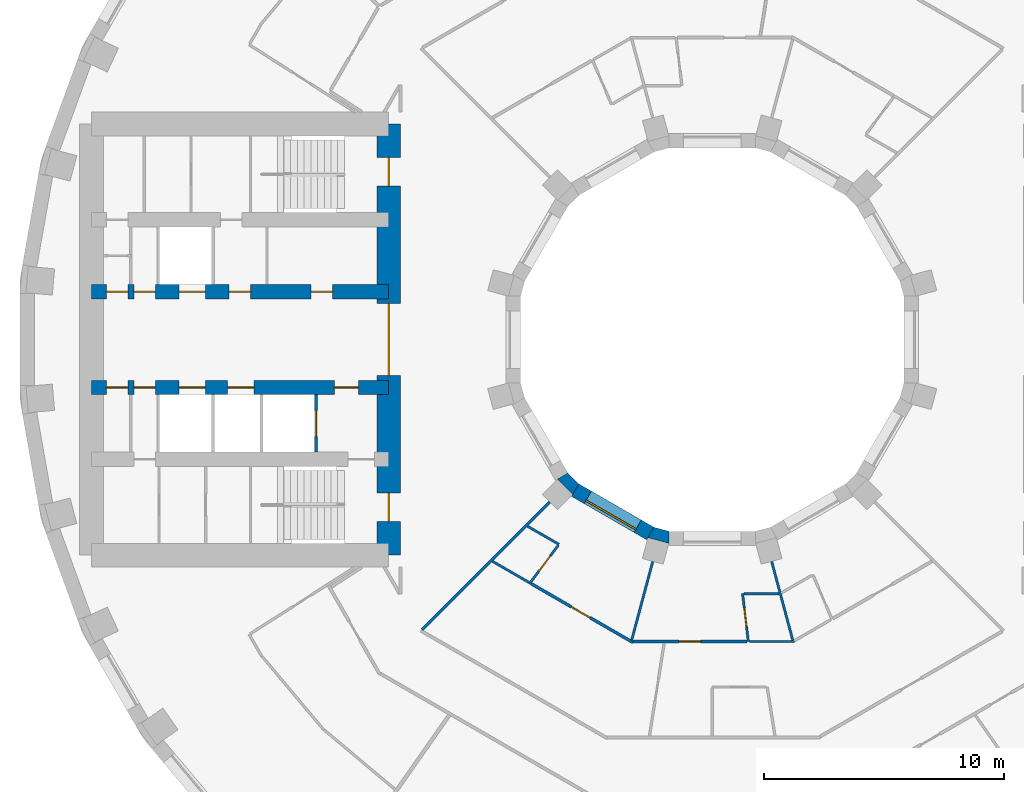
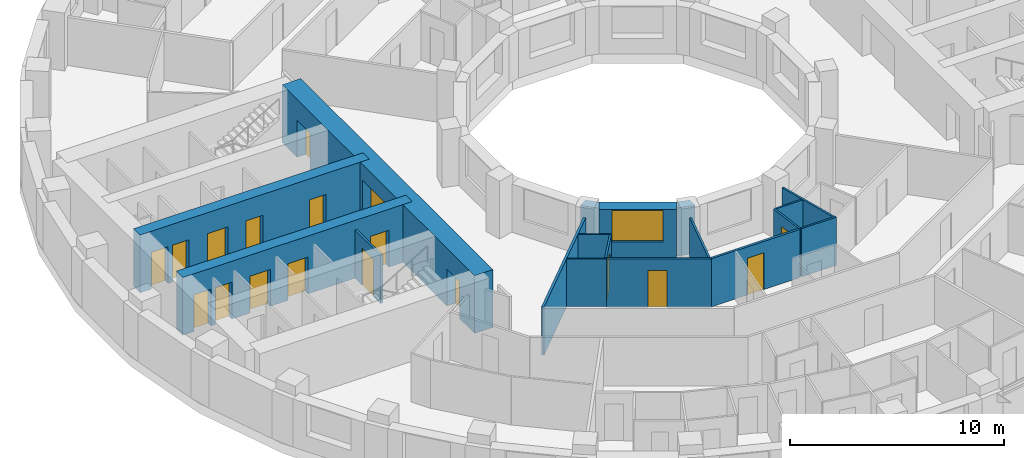
# One storey, part 7 of 17: 18 doors, 18 walls, 1 window, 19 openings.
"""IFC4 building model written with IfcOpenShell, lengths in metres."""

from ifc_helpers import new_model, si_unit, direction, frame, frame_2d, origin, place, context, subcontext, project, spatial, polyline, rectangle, outline, extrude, material, layer, layer_set, type_object, element, fill, save


model = new_model("IFC4")

# Units and contexts
model_context = context("Model", 3, precision=1e-05, world=origin(), true_north=direction((0.0, 1.0)))
body_context = subcontext(model_context, "Body", "Model", "MODEL_VIEW")
ifc_project = project(units=[si_unit("LENGTHUNIT", "METRE"), si_unit("AREAUNIT", "SQUARE_METRE"), si_unit("VOLUMEUNIT", "CUBIC_METRE"), si_unit("PLANEANGLEUNIT", "RADIAN"), si_unit("MASSUNIT", "GRAM", prefix="KILO")], contexts=[model_context])

# Site, building, storey
site_placement = place(None, origin())
site = spatial("IfcSite", under=ifc_project, at=site_placement, CompositionType="ELEMENT")
building_placement = place(site_placement, origin())
building = spatial("IfcBuilding", under=site, at=building_placement, Name="Saqina Gate Tower", CompositionType="ELEMENT")
storey_placement = place(building_placement, frame((0.0, 0.0, 29.60009765625)))
storey = spatial("IfcBuildingStorey", under=building, at=storey_placement, Name="L07", CompositionType="ELEMENT", Elevation=29.60009765625)

# Wall, opening, window
ifc_material_1 = material(Name="Glazed ceramic tile", Category="ceramic")
ifc_layer_1 = layer(ifc_material_1, 0.60009765625)
ifc_layer_set_1 = layer_set([ifc_layer_1], Name="IW-TILE")
wall_type_1 = type_object("IfcWallType", Name="IW-TILE", PredefinedType="SOLIDWALL", material=ifc_layer_set_1)
wall_1_placement = place(storey_placement, frame((-5.7197265625, -6.28173828125, 0.0), z_axis=(0.0, 0.0, 1.0), x_axis=(0.866029693906, -0.499992569217, 0.0)))
wall_1 = element("IfcWall", 1, at=wall_1_placement, inside=storey, type_object=wall_type_1, Name="Well wall L07 facet 8", PredefinedType="SOLIDWALL", context=body_context, shape_type="SweptSolid", body=[
    extrude(rectangle(XDim=3.625, YDim=0.60009765625, at=frame_2d((1.8125, 0.0))), origin(), (0.0, 0.0, 1.0), 2.75),
])
opening_1_placement = place(wall_1_placement, frame((0.612548828125, 0.0, 0.89990234375)))
opening_1 = element("IfcOpeningElement", 2, at=opening_1_placement, cuts=wall_1, Name="Opening G01-W30", PredefinedType="OPENING", context=body_context, shape_type="SweptSolid", body=[
    extrude(rectangle(XDim=2.39990234375, YDim=1.800048828125, at=frame_2d((1.199951171875, 0.89990234375))), frame((0.0, 0.31201171875, 0.0), z_axis=(0.0, -1.0, 0.0), x_axis=(1.0, 0.0, 0.0)), (0.0, 0.0, 1.0), 0.6240234375),
])
ifc_material_2 = material(Name="Aluminium glazing", Category="aluminium")
window_type = type_object("IfcWindowType", Name="WN-W", PartitioningType="SINGLE_PANEL", PredefinedType="WINDOW", material=ifc_material_2)
window_placement = place(opening_1_placement, origin())
window = element("IfcWindow", 3, at=window_placement, inside=storey, type_object=window_type, Name="Well window L07 facet 8", OverallHeight=1.800048828125, OverallWidth=2.39990234375, PartitioningType="SINGLE_PANEL", PredefinedType="WINDOW", context=body_context, shape_type="SweptSolid", body=[
    extrude(rectangle(XDim=2.39990234375, YDim=1.800048828125, at=frame_2d((1.199951171875, 0.89990234375))), frame((0.0, -0.119873046875, 0.0), z_axis=(0.0, -1.0, 0.0), x_axis=(1.0, 0.0, 0.0)), (0.0, 0.0, 1.0), 0.06005859375),
])
fill(opening_1, window)

# Wall, opening, door
ifc_material_3 = material(Name="Gypsum board on steel studs, 100 mm", Category="steel")
ifc_layer_2 = layer(ifc_material_3, 0.10009765625)
ifc_layer_set_2 = layer_set([ifc_layer_2], Name="PARTITION 100")
wall_type_2 = type_object("IfcWallType", Name="PARTITION 100", PredefinedType="PARTITIONING", material=ifc_layer_set_2)
wall_2_placement = place(storey_placement, frame((1.26708984375, -10.60009765625, 0.0), z_axis=(0.0, 0.0, 1.0), x_axis=(0.11866247814, -0.992934648545, 0.0)))
wall_2 = element("IfcWall", 4, at=wall_2_placement, inside=storey, type_object=wall_type_2, Name="PARTITION PW3-06", PredefinedType="PARTITIONING", context=body_context, shape_type="SweptSolid", body=[
    extrude(rectangle(XDim=2.01416015625, YDim=0.10009765625, at=frame_2d((1.007080078125, 0.0))), origin(), (0.0, 0.0, 1.0), 2.75),
])
opening_2_placement = place(wall_2_placement, frame((0.607177734375, 0.0, 0.0)))
opening_2 = element("IfcOpeningElement", 5, at=opening_2_placement, cuts=wall_2, Name="Opening G01-D58", PredefinedType="OPENING", context=body_context, shape_type="SweptSolid", body=[
    extrude(rectangle(XDim=0.800048828125, YDim=2.10009765625, at=frame_2d((0.39990234375, 1.050048828125))), frame((0.0, 0.06201171875, 0.0), z_axis=(0.0, -1.0, 0.0), x_axis=(1.0, 0.0, 0.0)), (0.0, 0.0, 1.0), 0.1240234375),
])
ifc_material_4 = material(Name="Timber door leaf, 800 mm", Category="wood")
door_type_1 = type_object("IfcDoorType", Name="DOOR 800 TIMBER", OperationType="SINGLE_SWING_LEFT", PredefinedType="DOOR", material=ifc_material_4)
door_1_placement = place(opening_2_placement, frame((0.800048828125, 0.0, 0.0), z_axis=(0.0, 0.0, 1.0), x_axis=(-1.0, 0.0, 0.0)))
door_1 = element("IfcDoor", 6, at=door_1_placement, inside=storey, type_object=door_type_1, Name="DOOR G01-D58", OperationType="SINGLE_SWING_LEFT", OverallHeight=2.10009765625, OverallWidth=0.800048828125, PredefinedType="DOOR", context=body_context, shape_type="SweptSolid", body=[
    extrude(rectangle(XDim=0.800048828125, YDim=2.10009765625, at=frame_2d((0.39990234375, 1.050048828125))), frame((0.0, 0.02490234375, 0.0), z_axis=(0.0, -1.0, 0.0), x_axis=(1.0, 0.0, 0.0)), (0.0, 0.0, 1.0), 0.050048828125),
])
fill(opening_2, door_1)

# Walls
wall_3_placement = place(storey_placement, frame((2.48291015625, -9.265380859375, 0.0), z_axis=(0.0, 0.0, 1.0), x_axis=(0.258846086109, -0.965918580268, 0.0)))
element("IfcWall", 7, at=wall_3_placement, inside=storey, type_object=wall_type_2, Name="PARTITION PW3-14", PredefinedType="PARTITIONING", context=body_context, shape_type="SweptSolid", body=[
    extrude(rectangle(XDim=3.402099609375, YDim=0.10009765625, at=frame_2d((1.701171875, 0.0))), origin(), (0.0, 0.0, 1.0), 2.75),
])
wall_4_placement = place(storey_placement, frame((-9.169921875, -9.255126953125, 0.0), z_axis=(0.0, 0.0, 1.0), x_axis=(0.866043361281, -0.499968895414, 0.0)))
element("IfcWall", 8, at=wall_4_placement, inside=storey, type_object=wall_type_2, Name="PARTITION PW3-39", PredefinedType="PARTITIONING", context=body_context, shape_type="SweptSolid", body=[
    extrude(rectangle(XDim=1.85791015625, YDim=0.10009765625, at=frame_2d((0.928955078125, 0.0))), origin(), (0.0, 0.0, 1.0), 2.75),
])
wall_5_placement = place(storey_placement, frame((-7.705810546875, -7.791259765625, 0.0), z_axis=(0.0, 0.0, 1.0), x_axis=(0.866317379693, -0.499493941547, 0.0)))
element("IfcWall", 9, at=wall_5_placement, inside=storey, type_object=wall_type_2, Name="PARTITION PW3-40", PredefinedType="PARTITIONING", context=body_context, shape_type="SweptSolid", body=[
    extrude(rectangle(XDim=1.5107421875, YDim=0.10009765625, at=frame_2d((0.75537109375, 0.0))), origin(), (0.0, 0.0, 1.0), 2.75),
])
wall_6_placement = place(storey_placement, frame((1.555908203125, -12.60009765625, 0.0), z_axis=(0.0, 0.0, 1.0), x_axis=(1.0, 0.0, 0.0)))
element("IfcWall", 10, at=wall_6_placement, inside=storey, type_object=wall_type_2, Name="PARTITION PW3-59", PredefinedType="PARTITIONING", context=body_context, shape_type="SweptSolid", body=[
    extrude(rectangle(XDim=1.8779296875, YDim=0.10009765625, at=frame_2d((0.93896484375, 0.0))), origin(), (0.0, 0.0, 1.0), 2.75),
])
wall_7_placement = place(storey_placement, frame((1.31689453125, -10.60009765625, 0.0), z_axis=(0.0, 0.0, 1.0), x_axis=(1.0, 0.0, 0.0)))
element("IfcWall", 11, at=wall_7_placement, inside=storey, type_object=wall_type_2, Name="PARTITION PW3-60", PredefinedType="PARTITIONING", context=body_context, shape_type="SweptSolid", body=[
    extrude(rectangle(XDim=1.47314453125, YDim=0.10009765625, at=frame_2d((0.736572265625, 0.0))), origin(), (0.0, 0.0, 1.0), 2.75),
])

# Wall, opening, door
wall_8_placement = place(storey_placement, frame((-7.566650390625, -10.10888671875, 0.0), z_axis=(0.0, 0.0, 1.0), x_axis=(0.599137140235, 0.800646418334, 0.0)))
wall_8 = element("IfcWall", 12, at=wall_8_placement, inside=storey, type_object=wall_type_2, Name="PARTITION PW3-96", PredefinedType="PARTITIONING", context=body_context, shape_type="SweptSolid", body=[
    extrude(rectangle(XDim=1.902099609375, YDim=0.10009765625, at=frame_2d((0.951171875, 0.0))), origin(), (0.0, 0.0, 1.0), 2.75),
])
opening_3_placement = place(wall_8_placement, frame((0.544921875, 0.0, 0.0)))
opening_3 = element("IfcOpeningElement", 13, at=opening_3_placement, cuts=wall_8, Name="Opening G01-D42", PredefinedType="OPENING", context=body_context, shape_type="SweptSolid", body=[
    extrude(rectangle(XDim=0.800048828125, YDim=2.10009765625, at=frame_2d((0.39990234375, 1.050048828125))), frame((0.0, 0.06201171875, 0.0), z_axis=(0.0, -1.0, 0.0), x_axis=(1.0, 0.0, 0.0)), (0.0, 0.0, 1.0), 0.1240234375),
])
door_2_placement = place(opening_3_placement, frame((0.800048828125, 0.0, 0.0), z_axis=(0.0, 0.0, 1.0), x_axis=(-1.0, 0.0, 0.0)))
door_2 = element("IfcDoor", 14, at=door_2_placement, inside=storey, type_object=door_type_1, Name="DOOR G01-D42", OperationType="SINGLE_SWING_RIGHT", OverallHeight=2.10009765625, OverallWidth=0.800048828125, PredefinedType="DOOR", context=body_context, shape_type="SweptSolid", body=[
    extrude(rectangle(XDim=0.800048828125, YDim=2.10009765625, at=frame_2d((0.39990234375, 1.050048828125))), frame((0.0, 0.02490234375, 0.0), z_axis=(0.0, -1.0, 0.0), x_axis=(1.0, 0.0, 0.0)), (0.0, 0.0, 1.0), 0.050048828125),
])
fill(opening_3, door_2)

# Wall
wall_9_placement = place(storey_placement, frame((-3.35986328125, -12.53955078125, 0.0), z_axis=(0.0, 0.0, 1.0), x_axis=(0.258787687785, 0.965934227911, 0.0)))
element("IfcWall", 15, at=wall_9_placement, inside=storey, type_object=wall_type_2, Name="PARTITION PW3-109", PredefinedType="PARTITIONING", context=body_context, shape_type="SweptSolid", body=[
    extrude(rectangle(XDim=3.3896484375, YDim=0.10009765625, at=frame_2d((1.69482421875, 0.0))), origin(), (0.0, 0.0, 1.0), 2.75),
])

# Wall, opening, door
ifc_material_5 = material(Name="Gypsum board on steel studs, 125 mm, fire rated", Category="steel")
ifc_layer_3 = layer(ifc_material_5, 0.125)
ifc_layer_set_3 = layer_set([ifc_layer_3], Name="PARTITION EI 30 125")
wall_type_3 = type_object("IfcWallType", Name="PARTITION EI 30 125", PredefinedType="PARTITIONING", material=ifc_layer_set_3)
wall_10_placement = place(storey_placement, frame((-7.560791015625, -10.18408203125, 0.0), z_axis=(0.0, 0.0, 1.0), x_axis=(0.86605046449, -0.499956591072, 0.0)))
wall_10 = element("IfcWall", 16, at=wall_10_placement, inside=storey, type_object=wall_type_3, Name="PARTITION PW1-16", PredefinedType="PARTITIONING", context=body_context, shape_type="SweptSolid", body=[
    extrude(rectangle(XDim=4.904296875, YDim=0.125, at=frame_2d((2.4521484375, 0.0))), origin(), (0.0, 0.0, 1.0), 2.75),
])
opening_4_placement = place(wall_10_placement, frame((1.94091796875, 0.0, 0.0)))
opening_4 = element("IfcOpeningElement", 17, at=opening_4_placement, cuts=wall_10, Name="Opening G01-D45", PredefinedType="OPENING", context=body_context, shape_type="SweptSolid", body=[
    extrude(rectangle(XDim=0.89990234375, YDim=2.10009765625, at=frame_2d((0.449951171875, 1.050048828125))), frame((0.0, 0.074462890625, 0.0), z_axis=(0.0, -1.0, 0.0), x_axis=(1.0, 0.0, 0.0)), (0.0, 0.0, 1.0), 0.14892578125),
])
ifc_material_6 = material(Name="Fire door leaf EI 30, 900 mm")
door_type_2 = type_object("IfcDoorType", Name="DOOR 900 EI 30", OperationType="SINGLE_SWING_LEFT", PredefinedType="DOOR", material=ifc_material_6)
door_3_placement = place(opening_4_placement, frame((0.89990234375, 0.0, 0.0), z_axis=(0.0, 0.0, 1.0), x_axis=(-1.0, 0.0, 0.0)))
door_3 = element("IfcDoor", 18, at=door_3_placement, inside=storey, type_object=door_type_2, Name="DOOR G01-D45", OperationType="SINGLE_SWING_RIGHT", OverallHeight=2.10009765625, OverallWidth=0.89990234375, PredefinedType="DOOR", context=body_context, shape_type="SweptSolid", body=[
    extrude(rectangle(XDim=0.89990234375, YDim=2.10009765625, at=frame_2d((0.449951171875, 1.050048828125))), frame((0.0, 0.02490234375, 0.0), z_axis=(0.0, -1.0, 0.0), x_axis=(1.0, 0.0, 0.0)), (0.0, 0.0, 1.0), 0.050048828125),
])
fill(opening_4, door_3)

wall_11_placement = place(storey_placement, frame((-3.3134765625, -12.60009765625, 0.0), z_axis=(0.0, 0.0, 1.0), x_axis=(1.0, 0.0, 0.0)))
wall_11 = element("IfcWall", 19, at=wall_11_placement, inside=storey, type_object=wall_type_3, Name="PARTITION PW1-28", PredefinedType="PARTITIONING", context=body_context, shape_type="SweptSolid", body=[
    extrude(rectangle(XDim=4.76953125, YDim=0.125, at=frame_2d((2.384765625, 0.0))), origin(), (0.0, 0.0, 1.0), 2.75),
])
opening_5_placement = place(wall_11_placement, frame((1.928466796875, 0.0, 0.0)))
opening_5 = element("IfcOpeningElement", 20, at=opening_5_placement, cuts=wall_11, Name="Opening G01-D53", PredefinedType="OPENING", context=body_context, shape_type="SweptSolid", body=[
    extrude(rectangle(XDim=0.89990234375, YDim=2.10009765625, at=frame_2d((0.449951171875, 1.050048828125))), frame((0.0, 0.074462890625, 0.0), z_axis=(0.0, -1.0, 0.0), x_axis=(1.0, 0.0, 0.0)), (0.0, 0.0, 1.0), 0.14892578125),
])
door_4_placement = place(opening_5_placement, frame((0.89990234375, 0.0, 0.0), z_axis=(0.0, 0.0, 1.0), x_axis=(-1.0, 0.0, 0.0)))
door_4 = element("IfcDoor", 21, at=door_4_placement, inside=storey, type_object=door_type_2, Name="DOOR G01-D53", OperationType="SINGLE_SWING_RIGHT", OverallHeight=2.10009765625, OverallWidth=0.89990234375, PredefinedType="DOOR", context=body_context, shape_type="SweptSolid", body=[
    extrude(rectangle(XDim=0.89990234375, YDim=2.10009765625, at=frame_2d((0.449951171875, 1.050048828125))), frame((0.0, 0.02490234375, 0.0), z_axis=(0.0, -1.0, 0.0), x_axis=(1.0, 0.0, 0.0)), (0.0, 0.0, 1.0), 0.050048828125),
])
fill(opening_5, door_4)

# Wall
wall_12_placement = place(storey_placement, frame((-12.10791015625, -12.10791015625, 0.0), z_axis=(0.0, 0.0, 1.0), x_axis=(0.707106781187, 0.707106781187, 0.0)))
element("IfcWall", 22, at=wall_12_placement, inside=storey, type_object=wall_type_3, Name="PARTITION PW1-47", PredefinedType="PARTITIONING", context=body_context, shape_type="SweptSolid", body=[
    extrude(rectangle(XDim=7.531005859375, YDim=0.125, at=frame_2d((3.765625, 0.0))), origin(), (0.0, 0.0, 1.0), 2.75),
])

# Wall, opening, door
ifc_material_7 = material(Name="Autoclaved aerated concrete block", Category="concrete")
ifc_layer_4 = layer(ifc_material_7, 0.1201171875)
ifc_layer_set_4 = layer_set([ifc_layer_4], Name="SHAFT PARTITION")
wall_type_4 = type_object("IfcWallType", Name="SHAFT PARTITION", PredefinedType="PARTITIONING", material=ifc_layer_set_4)
wall_13_placement = place(storey_placement, frame((-16.530029296875, -4.699951171875, 0.0), z_axis=(0.0, 0.0, 1.0), x_axis=(0.0, 1.0, 0.0)))
wall_13 = element("IfcWall", 23, at=wall_13_placement, inside=storey, type_object=wall_type_4, Name="L07-CP-W05", PredefinedType="PARTITIONING", context=body_context, shape_type="SweptSolid", body=[
    extrude(rectangle(XDim=2.39990234375, YDim=0.1201171875, at=frame_2d((1.199951171875, 0.0))), origin(), (0.0, 0.0, 1.0), 2.75),
])
opening_6_placement = place(wall_13_placement, frame((0.64990234375, 0.0, 0.0)))
opening_6 = element("IfcOpeningElement", 24, at=opening_6_placement, cuts=wall_13, Name="Opening G01-LD6", PredefinedType="OPENING", context=body_context, shape_type="SweptSolid", body=[
    extrude(rectangle(XDim=1.10009765625, YDim=2.10009765625, at=frame_2d((0.550048828125, 1.050048828125))), frame((0.0, 0.072021484375, 0.0), z_axis=(0.0, -1.0, 0.0), x_axis=(1.0, 0.0, 0.0)), (0.0, 0.0, 1.0), 0.14404296875),
])
ifc_material_8 = material(Name="Stainless steel", Category="steel")
door_type_3 = type_object("IfcDoorType", Name="LANDING DOOR", OperationType="DOUBLE_DOOR_SLIDING", PredefinedType="DOOR", material=ifc_material_8)
door_5_placement = place(opening_6_placement, origin())
door_5 = element("IfcDoor", 25, at=door_5_placement, inside=storey, type_object=door_type_3, Name="LANDING DOOR FF2", OperationType="DOUBLE_DOOR_SLIDING", OverallHeight=2.10009765625, OverallWidth=1.10009765625, PredefinedType="DOOR", context=body_context, shape_type="SweptSolid", body=[
    extrude(rectangle(XDim=1.10009765625, YDim=2.10009765625, at=frame_2d((0.550048828125, 1.050048828125))), frame((0.0, 0.02490234375, 0.0), z_axis=(0.0, -1.0, 0.0), x_axis=(1.0, 0.0, 0.0)), (0.0, 0.0, 1.0), 0.050048828125),
])
fill(opening_6, door_5)

# Wall, openings, doors
ifc_material_9 = material(Name="Concrete C70/85", Category="concrete")
ifc_layer_5 = layer(ifc_material_9, 0.60009765625)
ifc_layer_set_5 = layer_set([ifc_layer_5], Name="Concrete C70/85")
wall_type_5 = type_object("IfcWallType", Name="STR-CORE WALL-A-I", PredefinedType="SHEAR", material=ifc_layer_set_5)
wall_14_placement = place(storey_placement, frame((-13.5, 2.0, 0.0), z_axis=(0.0, 0.0, 1.0), x_axis=(-1.0, 0.0, 0.0)))
wall_14 = element("IfcWall", 26, at=wall_14_placement, inside=storey, type_object=wall_type_5, Name="CORE WALL L07 W-L1", PredefinedType="SHEAR", context=body_context, shape_type="SweptSolid", body=[
    extrude(rectangle(XDim=12.39990234375, YDim=0.60009765625, at=frame_2d((6.199951171875, 0.0))), origin(), (0.0, 0.0, 1.0), 3.2998046875),
])
opening_7_placement = place(wall_14_placement, frame((7.64990234375, 0.0, 0.0)))
opening_7 = element("IfcOpeningElement", 27, at=opening_7_placement, cuts=wall_14, Name="Opening G01-LD5", PredefinedType="OPENING", context=body_context, shape_type="SweptSolid", body=[
    extrude(rectangle(XDim=1.10009765625, YDim=2.10009765625, at=frame_2d((0.550048828125, 1.050048828125))), frame((0.0, 0.31201171875, 0.0), z_axis=(0.0, -1.0, 0.0), x_axis=(1.0, 0.0, 0.0)), (0.0, 0.0, 1.0), 0.6240234375),
])
opening_8_placement = place(wall_14_placement, frame((2.34130859375, 0.0, 0.0)))
opening_8 = element("IfcOpeningElement", 28, at=opening_8_placement, cuts=wall_14, Name="Opening G01-D108", PredefinedType="OPENING", context=body_context, shape_type="SweptSolid", body=[
    extrude(rectangle(XDim=0.89990234375, YDim=2.10009765625, at=frame_2d((0.449951171875, 1.050048828125))), frame((0.0, 0.31201171875, 0.0), z_axis=(0.0, -1.0, 0.0), x_axis=(1.0, 0.0, 0.0)), (0.0, 0.0, 1.0), 0.6240234375),
])
opening_9_placement = place(wall_14_placement, frame((5.761474609375, 0.0, 0.0)))
opening_9 = element("IfcOpeningElement", 29, at=opening_9_placement, cuts=wall_14, Name="Opening G01-D109", PredefinedType="OPENING", context=body_context, shape_type="SweptSolid", body=[
    extrude(rectangle(XDim=0.89990234375, YDim=2.10009765625, at=frame_2d((0.449951171875, 1.050048828125))), frame((0.0, 0.31201171875, 0.0), z_axis=(0.0, -1.0, 0.0), x_axis=(1.0, 0.0, 0.0)), (0.0, 0.0, 1.0), 0.6240234375),
])
opening_10_placement = place(wall_14_placement, frame((9.739990234375, 0.0, 0.0)))
opening_10 = element("IfcOpeningElement", 30, at=opening_10_placement, cuts=wall_14, Name="Opening G01-D110", PredefinedType="OPENING", context=body_context, shape_type="SweptSolid", body=[
    extrude(rectangle(XDim=0.89990234375, YDim=2.10009765625, at=frame_2d((0.449951171875, 1.050048828125))), frame((0.0, 0.31201171875, 0.0), z_axis=(0.0, -1.0, 0.0), x_axis=(1.0, 0.0, 0.0)), (0.0, 0.0, 1.0), 0.6240234375),
])
opening_11_placement = place(wall_14_placement, frame((10.8798828125, 0.0, 0.0)))
opening_11 = element("IfcOpeningElement", 31, at=opening_11_placement, cuts=wall_14, Name="Opening G01-D111", PredefinedType="OPENING", context=body_context, shape_type="SweptSolid", body=[
    extrude(rectangle(XDim=0.89990234375, YDim=2.10009765625, at=frame_2d((0.449951171875, 1.050048828125))), frame((0.0, 0.31201171875, 0.0), z_axis=(0.0, -1.0, 0.0), x_axis=(1.0, 0.0, 0.0)), (0.0, 0.0, 1.0), 0.6240234375),
])
door_6_placement = place(opening_7_placement, origin())
door_6 = element("IfcDoor", 32, at=door_6_placement, inside=storey, type_object=door_type_3, Name="LANDING DOOR LR4", OperationType="DOUBLE_DOOR_SLIDING", OverallHeight=2.10009765625, OverallWidth=1.10009765625, PredefinedType="DOOR", context=body_context, shape_type="SweptSolid", body=[
    extrude(rectangle(XDim=1.10009765625, YDim=2.10009765625, at=frame_2d((0.550048828125, 1.050048828125))), frame((0.0, 0.02490234375, 0.0), z_axis=(0.0, -1.0, 0.0), x_axis=(1.0, 0.0, 0.0)), (0.0, 0.0, 1.0), 0.050048828125),
])
fill(opening_7, door_6)
ifc_material_10 = material(Name="Steel-framed fire door leaf, EI 60", Category="steel")
door_type_4 = type_object("IfcDoorType", Name="SERVICE ROOM DOOR 900", OperationType="SINGLE_SWING_LEFT", PredefinedType="DOOR", material=ifc_material_10)
door_7_placement = place(opening_8_placement, frame((0.89990234375, 0.0, 0.0), z_axis=(0.0, 0.0, 1.0), x_axis=(-1.0, 0.0, 0.0)))
door_7 = element("IfcDoor", 33, at=door_7_placement, inside=storey, type_object=door_type_4, Name="L07-CD-W19", OperationType="SINGLE_SWING_RIGHT", OverallHeight=2.10009765625, OverallWidth=0.89990234375, PredefinedType="DOOR", context=body_context, shape_type="SweptSolid", body=[
    extrude(rectangle(XDim=0.89990234375, YDim=2.10009765625, at=frame_2d((0.449951171875, 1.050048828125))), frame((0.0, 0.02490234375, 0.0), z_axis=(0.0, -1.0, 0.0), x_axis=(1.0, 0.0, 0.0)), (0.0, 0.0, 1.0), 0.050048828125),
])
fill(opening_8, door_7)
door_8_placement = place(opening_9_placement, frame((0.89990234375, 0.0, 0.0), z_axis=(0.0, 0.0, 1.0), x_axis=(-1.0, 0.0, 0.0)))
door_8 = element("IfcDoor", 34, at=door_8_placement, inside=storey, type_object=door_type_4, Name="L07-CD-W20", OperationType="SINGLE_SWING_LEFT", OverallHeight=2.10009765625, OverallWidth=0.89990234375, PredefinedType="DOOR", context=body_context, shape_type="SweptSolid", body=[
    extrude(rectangle(XDim=0.89990234375, YDim=2.10009765625, at=frame_2d((0.449951171875, 1.050048828125))), frame((0.0, 0.02490234375, 0.0), z_axis=(0.0, -1.0, 0.0), x_axis=(1.0, 0.0, 0.0)), (0.0, 0.0, 1.0), 0.050048828125),
])
fill(opening_9, door_8)
door_9_placement = place(opening_10_placement, frame((0.89990234375, 0.0, 0.0), z_axis=(0.0, 0.0, 1.0), x_axis=(-1.0, 0.0, 0.0)))
door_9 = element("IfcDoor", 35, at=door_9_placement, inside=storey, type_object=door_type_4, Name="L07-CD-W21", OperationType="SINGLE_SWING_RIGHT", OverallHeight=2.10009765625, OverallWidth=0.89990234375, PredefinedType="DOOR", context=body_context, shape_type="SweptSolid", body=[
    extrude(rectangle(XDim=0.89990234375, YDim=2.10009765625, at=frame_2d((0.449951171875, 1.050048828125))), frame((0.0, 0.02490234375, 0.0), z_axis=(0.0, -1.0, 0.0), x_axis=(1.0, 0.0, 0.0)), (0.0, 0.0, 1.0), 0.050048828125),
])
fill(opening_10, door_9)
door_10_placement = place(opening_11_placement, frame((0.89990234375, 0.0, 0.0), z_axis=(0.0, 0.0, 1.0), x_axis=(-1.0, 0.0, 0.0)))
door_10 = element("IfcDoor", 36, at=door_10_placement, inside=storey, type_object=door_type_4, Name="L07-CD-W22", OperationType="SINGLE_SWING_LEFT", OverallHeight=2.10009765625, OverallWidth=0.89990234375, PredefinedType="DOOR", context=body_context, shape_type="SweptSolid", body=[
    extrude(rectangle(XDim=0.89990234375, YDim=2.10009765625, at=frame_2d((0.449951171875, 1.050048828125))), frame((0.0, 0.02490234375, 0.0), z_axis=(0.0, -1.0, 0.0), x_axis=(1.0, 0.0, 0.0)), (0.0, 0.0, 1.0), 0.050048828125),
])
fill(opening_11, door_10)

wall_15_placement = place(storey_placement, frame((-13.5, -2.0, 0.0), z_axis=(0.0, 0.0, 1.0), x_axis=(-1.0, 0.0, 0.0)))
wall_15 = element("IfcWall", 37, at=wall_15_placement, inside=storey, type_object=wall_type_5, Name="CORE WALL L07 W-L2", PredefinedType="SHEAR", context=body_context, shape_type="SweptSolid", body=[
    extrude(rectangle(XDim=12.39990234375, YDim=0.60009765625, at=frame_2d((6.199951171875, 0.0))), origin(), (0.0, 0.0, 1.0), 3.2998046875),
])
opening_12_placement = place(wall_15_placement, frame((5.6201171875, 0.0, 0.0)))
opening_12 = element("IfcOpeningElement", 38, at=opening_12_placement, cuts=wall_15, Name="Opening G01-LD7", PredefinedType="OPENING", context=body_context, shape_type="SweptSolid", body=[
    extrude(rectangle(XDim=1.10009765625, YDim=2.10009765625, at=frame_2d((0.550048828125, 1.050048828125))), frame((0.0, 0.31201171875, 0.0), z_axis=(0.0, -1.0, 0.0), x_axis=(1.0, 0.0, 0.0)), (0.0, 0.0, 1.0), 0.6240234375),
])
opening_13_placement = place(wall_15_placement, frame((7.64990234375, 0.0, 0.0)))
opening_13 = element("IfcOpeningElement", 39, at=opening_13_placement, cuts=wall_15, Name="Opening G01-LD8", PredefinedType="OPENING", context=body_context, shape_type="SweptSolid", body=[
    extrude(rectangle(XDim=1.10009765625, YDim=2.10009765625, at=frame_2d((0.550048828125, 1.050048828125))), frame((0.0, 0.31201171875, 0.0), z_axis=(0.0, -1.0, 0.0), x_axis=(1.0, 0.0, 0.0)), (0.0, 0.0, 1.0), 0.6240234375),
])
opening_14_placement = place(wall_15_placement, frame((1.264892578125, 0.0, 0.0)))
opening_14 = element("IfcOpeningElement", 40, at=opening_14_placement, cuts=wall_15, Name="Opening G01-D112", PredefinedType="OPENING", context=body_context, shape_type="SweptSolid", body=[
    extrude(rectangle(XDim=1.0, YDim=2.10009765625, at=frame_2d((0.5, 1.050048828125))), frame((0.0, 0.31201171875, 0.0), z_axis=(0.0, -1.0, 0.0), x_axis=(1.0, 0.0, 0.0)), (0.0, 0.0, 1.0), 0.6240234375),
])
opening_15_placement = place(wall_15_placement, frame((9.739990234375, 0.0, 0.0)))
opening_15 = element("IfcOpeningElement", 41, at=opening_15_placement, cuts=wall_15, Name="Opening G01-D113", PredefinedType="OPENING", context=body_context, shape_type="SweptSolid", body=[
    extrude(rectangle(XDim=0.89990234375, YDim=2.10009765625, at=frame_2d((0.449951171875, 1.050048828125))), frame((0.0, 0.31201171875, 0.0), z_axis=(0.0, -1.0, 0.0), x_axis=(1.0, 0.0, 0.0)), (0.0, 0.0, 1.0), 0.6240234375),
])
opening_16_placement = place(wall_15_placement, frame((10.8798828125, 0.0, 0.0)))
opening_16 = element("IfcOpeningElement", 42, at=opening_16_placement, cuts=wall_15, Name="Opening G01-D114", PredefinedType="OPENING", context=body_context, shape_type="SweptSolid", body=[
    extrude(rectangle(XDim=0.89990234375, YDim=2.10009765625, at=frame_2d((0.449951171875, 1.050048828125))), frame((0.0, 0.31201171875, 0.0), z_axis=(0.0, -1.0, 0.0), x_axis=(1.0, 0.0, 0.0)), (0.0, 0.0, 1.0), 0.6240234375),
])
ifc_material_11 = material(Name="Steel", Category="steel")
door_type_5 = type_object("IfcDoorType", Name="FIRE LOBBY DOOR EI 60", OperationType="SINGLE_SWING_LEFT", PredefinedType="DOOR", material=ifc_material_11)
door_11_placement = place(opening_14_placement, frame((1.0, 0.0, 0.0), z_axis=(0.0, 0.0, 1.0), x_axis=(-1.0, 0.0, 0.0)))
door_11 = element("IfcDoor", 43, at=door_11_placement, inside=storey, type_object=door_type_5, Name="L07-CD-W23", OperationType="SINGLE_SWING_RIGHT", OverallHeight=2.10009765625, OverallWidth=1.0, PredefinedType="DOOR", context=body_context, shape_type="SweptSolid", body=[
    extrude(rectangle(XDim=1.0, YDim=2.10009765625, at=frame_2d((0.5, 1.050048828125))), frame((0.0, 0.02490234375, 0.0), z_axis=(0.0, -1.0, 0.0), x_axis=(1.0, 0.0, 0.0)), (0.0, 0.0, 1.0), 0.050048828125),
])
fill(opening_14, door_11)
door_12_placement = place(opening_12_placement, origin())
door_12 = element("IfcDoor", 44, at=door_12_placement, inside=storey, type_object=door_type_3, Name="LANDING DOOR LR6", OperationType="DOUBLE_DOOR_SLIDING", OverallHeight=2.10009765625, OverallWidth=1.10009765625, PredefinedType="DOOR", context=body_context, shape_type="SweptSolid", body=[
    extrude(rectangle(XDim=1.10009765625, YDim=2.10009765625, at=frame_2d((0.550048828125, 1.050048828125))), frame((0.0, 0.02490234375, 0.0), z_axis=(0.0, -1.0, 0.0), x_axis=(1.0, 0.0, 0.0)), (0.0, 0.0, 1.0), 0.050048828125),
])
fill(opening_12, door_12)
door_13_placement = place(opening_13_placement, origin())
door_13 = element("IfcDoor", 45, at=door_13_placement, inside=storey, type_object=door_type_3, Name="LANDING DOOR LR5", OperationType="DOUBLE_DOOR_SLIDING", OverallHeight=2.10009765625, OverallWidth=1.10009765625, PredefinedType="DOOR", context=body_context, shape_type="SweptSolid", body=[
    extrude(rectangle(XDim=1.10009765625, YDim=2.10009765625, at=frame_2d((0.550048828125, 1.050048828125))), frame((0.0, 0.02490234375, 0.0), z_axis=(0.0, -1.0, 0.0), x_axis=(1.0, 0.0, 0.0)), (0.0, 0.0, 1.0), 0.050048828125),
])
fill(opening_13, door_13)
door_14_placement = place(opening_15_placement, origin())
door_14 = element("IfcDoor", 46, at=door_14_placement, inside=storey, type_object=door_type_4, Name="L07-CD-W24", OperationType="SINGLE_SWING_LEFT", OverallHeight=2.10009765625, OverallWidth=0.89990234375, PredefinedType="DOOR", context=body_context, shape_type="SweptSolid", body=[
    extrude(rectangle(XDim=0.89990234375, YDim=2.10009765625, at=frame_2d((0.449951171875, 1.050048828125))), frame((0.0, 0.02490234375, 0.0), z_axis=(0.0, -1.0, 0.0), x_axis=(1.0, 0.0, 0.0)), (0.0, 0.0, 1.0), 0.050048828125),
])
fill(opening_15, door_14)
door_15_placement = place(opening_16_placement, origin())
door_15 = element("IfcDoor", 47, at=door_15_placement, inside=storey, type_object=door_type_4, Name="L07-CD-W25", OperationType="SINGLE_SWING_RIGHT", OverallHeight=2.10009765625, OverallWidth=0.89990234375, PredefinedType="DOOR", context=body_context, shape_type="SweptSolid", body=[
    extrude(rectangle(XDim=0.89990234375, YDim=2.10009765625, at=frame_2d((0.449951171875, 1.050048828125))), frame((0.0, 0.02490234375, 0.0), z_axis=(0.0, -1.0, 0.0), x_axis=(1.0, 0.0, 0.0)), (0.0, 0.0, 1.0), 0.050048828125),
])
fill(opening_16, door_15)

ifc_material_12 = material(Name="Concrete C70/85", Category="concrete")
ifc_layer_6 = layer(ifc_material_12, 1.0)
ifc_layer_set_6 = layer_set([ifc_layer_6], Name="Concrete C70/85")
wall_type_6 = type_object("IfcWallType", Name="STR-CORE WALL-A-O", PredefinedType="SHEAR", material=ifc_layer_set_6)
wall_16_placement = place(storey_placement, frame((-13.5, -9.0, 0.0), z_axis=(0.0, 0.0, 1.0), x_axis=(0.0, 1.0, 0.0)))
wall_16 = element("IfcWall", 48, at=wall_16_placement, inside=storey, type_object=wall_type_6, Name="CORE WALL L07 W-W1", PredefinedType="SHEAR", context=body_context, shape_type="SweptSolid", body=[
    extrude(rectangle(XDim=18.0, YDim=1.0, at=frame_2d((9.0, 0.0))), origin(), (0.0, 0.0, 1.0), 3.2998046875),
])
opening_17_placement = place(wall_16_placement, frame((15.39990234375, 0.0, 0.0)))
opening_17 = element("IfcOpeningElement", 49, at=opening_17_placement, cuts=wall_16, Name="Opening G01-D123", PredefinedType="OPENING", context=body_context, shape_type="SweptSolid", body=[
    extrude(rectangle(XDim=1.199951171875, YDim=2.10009765625, at=frame_2d((0.60009765625, 1.050048828125))), frame((0.0, 0.511962890625, 0.0), z_axis=(0.0, -1.0, 0.0), x_axis=(1.0, 0.0, 0.0)), (0.0, 0.0, 1.0), 1.02392578125),
])
opening_18_placement = place(wall_16_placement, frame((1.39990234375, 0.0, 0.0)))
opening_18 = element("IfcOpeningElement", 50, at=opening_18_placement, cuts=wall_16, Name="Opening G01-D124", PredefinedType="OPENING", context=body_context, shape_type="SweptSolid", body=[
    extrude(rectangle(XDim=1.199951171875, YDim=2.10009765625, at=frame_2d((0.60009765625, 1.050048828125))), frame((0.0, 0.511962890625, 0.0), z_axis=(0.0, -1.0, 0.0), x_axis=(1.0, 0.0, 0.0)), (0.0, 0.0, 1.0), 1.02392578125),
])
opening_19_placement = place(wall_16_placement, frame((7.5, 0.0, 0.0)))
opening_19 = element("IfcOpeningElement", 51, at=opening_19_placement, cuts=wall_16, Name="Opening G01-D125", PredefinedType="OPENING", context=body_context, shape_type="SweptSolid", body=[
    extrude(rectangle(XDim=3.0, YDim=2.39990234375, at=frame_2d((1.5, 1.199951171875))), frame((0.0, 0.511962890625, 0.0), z_axis=(0.0, -1.0, 0.0), x_axis=(1.0, 0.0, 0.0)), (0.0, 0.0, 1.0), 1.02392578125),
])
ifc_material_13 = material(Name="Steel", Category="steel")
door_type_6 = type_object("IfcDoorType", Name="FIRE DOOR EI 60", OperationType="SINGLE_SWING_LEFT", PredefinedType="DOOR", material=ifc_material_13)
door_16_placement = place(opening_17_placement, origin())
door_16 = element("IfcDoor", 52, at=door_16_placement, inside=storey, type_object=door_type_6, Name="L07-CD-W34", OperationType="SINGLE_SWING_RIGHT", OverallHeight=2.10009765625, OverallWidth=1.199951171875, PredefinedType="DOOR", context=body_context, shape_type="SweptSolid", body=[
    extrude(rectangle(XDim=1.199951171875, YDim=2.10009765625, at=frame_2d((0.60009765625, 1.050048828125))), frame((0.0, 0.02490234375, 0.0), z_axis=(0.0, -1.0, 0.0), x_axis=(1.0, 0.0, 0.0)), (0.0, 0.0, 1.0), 0.050048828125),
])
fill(opening_17, door_16)
door_17_placement = place(opening_18_placement, origin())
door_17 = element("IfcDoor", 53, at=door_17_placement, inside=storey, type_object=door_type_6, Name="L07-CD-W35", OperationType="SINGLE_SWING_LEFT", OverallHeight=2.10009765625, OverallWidth=1.199951171875, PredefinedType="DOOR", context=body_context, shape_type="SweptSolid", body=[
    extrude(rectangle(XDim=1.199951171875, YDim=2.10009765625, at=frame_2d((0.60009765625, 1.050048828125))), frame((0.0, 0.02490234375, 0.0), z_axis=(0.0, -1.0, 0.0), x_axis=(1.0, 0.0, 0.0)), (0.0, 0.0, 1.0), 0.050048828125),
])
fill(opening_18, door_17)
ifc_material_14 = material(Name="Steel and fire-resisting glass", Category="steel")
door_type_7 = type_object("IfcDoorType", Name="LOBBY SCREEN DOOR", OperationType="DOUBLE_DOOR_SLIDING", PredefinedType="DOOR", material=ifc_material_14)
door_18_placement = place(opening_19_placement, origin())
door_18 = element("IfcDoor", 54, at=door_18_placement, inside=storey, type_object=door_type_7, Name="L07-CD-W36", OperationType="DOUBLE_DOOR_SLIDING", OverallHeight=2.39990234375, OverallWidth=3.0, PredefinedType="DOOR", context=body_context, shape_type="SweptSolid", body=[
    extrude(rectangle(XDim=3.0, YDim=2.39990234375, at=frame_2d((1.5, 1.199951171875))), frame((0.0, 0.02490234375, 0.0), z_axis=(0.0, -1.0, 0.0), x_axis=(1.0, 0.0, 0.0)), (0.0, 0.0, 1.0), 0.050048828125),
])
fill(opening_19, door_18)

# Walls
ifc_material_15 = material(Name="Glazed ceramic tile", Category="ceramic")
wall_type_7 = type_object("IfcWallType", Name="TILE PIER COPING", PredefinedType="SOLIDWALL", material=ifc_material_15)
wall_17_placement = place(storey_placement, origin())
element("IfcWall", 55, at=wall_17_placement, inside=storey, type_object=wall_type_7, Name="Well pier cap L07 column 8", PredefinedType="SOLIDWALL", context=body_context, shape_type="SweptSolid", body=[
    extrude(outline(polyline([(-6.45751953125, -5.821044921875), (-5.821044921875, -6.45751953125), (-5.569580078125, -6.02197265625), (-6.02197265625, -5.569580078125), (-6.45751953125, -5.821044921875)])), origin(), (0.0, 0.0, 1.0), 2.75),
])
wall_18_placement = place(storey_placement, origin())
element("IfcWall", 56, at=wall_18_placement, inside=storey, type_object=wall_type_7, Name="Well pier cap L07 column 9", PredefinedType="SOLIDWALL", context=body_context, shape_type="SweptSolid", body=[
    extrude(outline(polyline([(-1.8125, -8.502685546875), (-1.8125, -8.0), (-2.430419921875, -7.83447265625), (-2.681884765625, -8.27001953125), (-1.8125, -8.502685546875)])), origin(), (0.0, 0.0, 1.0), 2.75),
])

save(model, "model.ifc")
